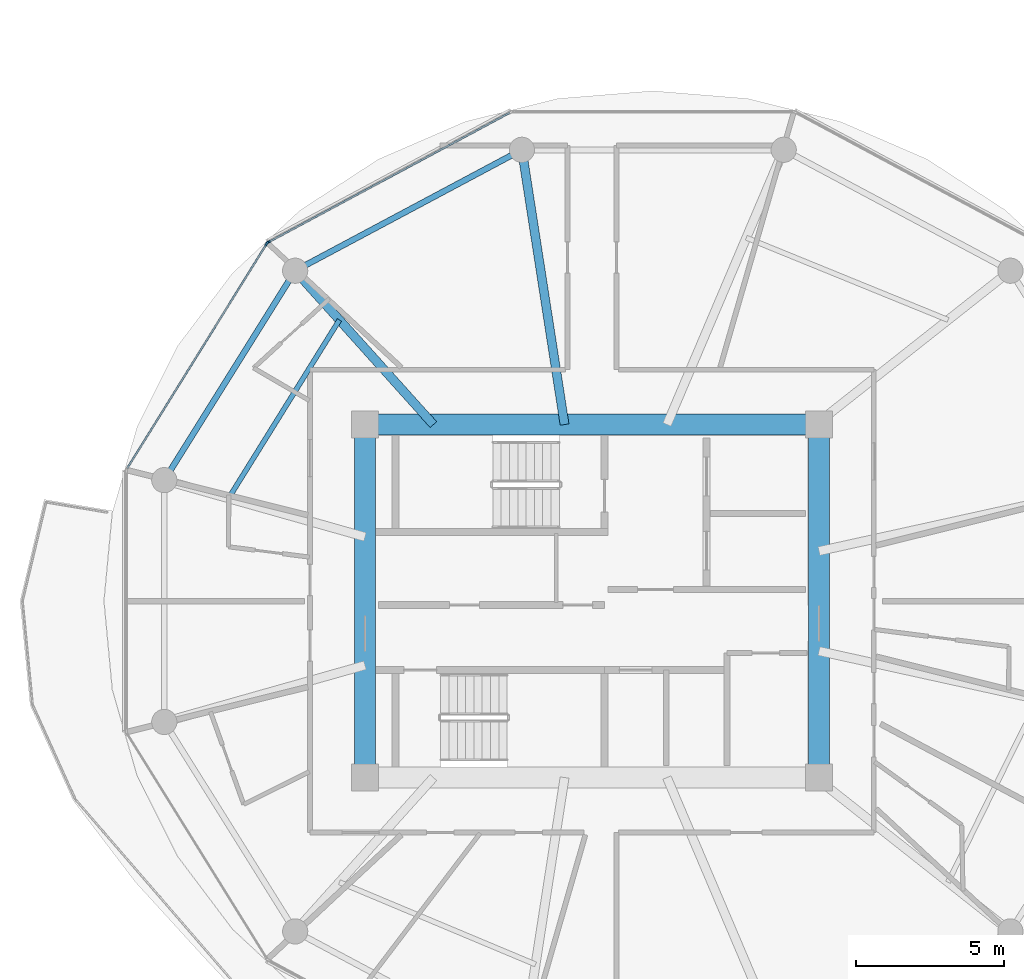
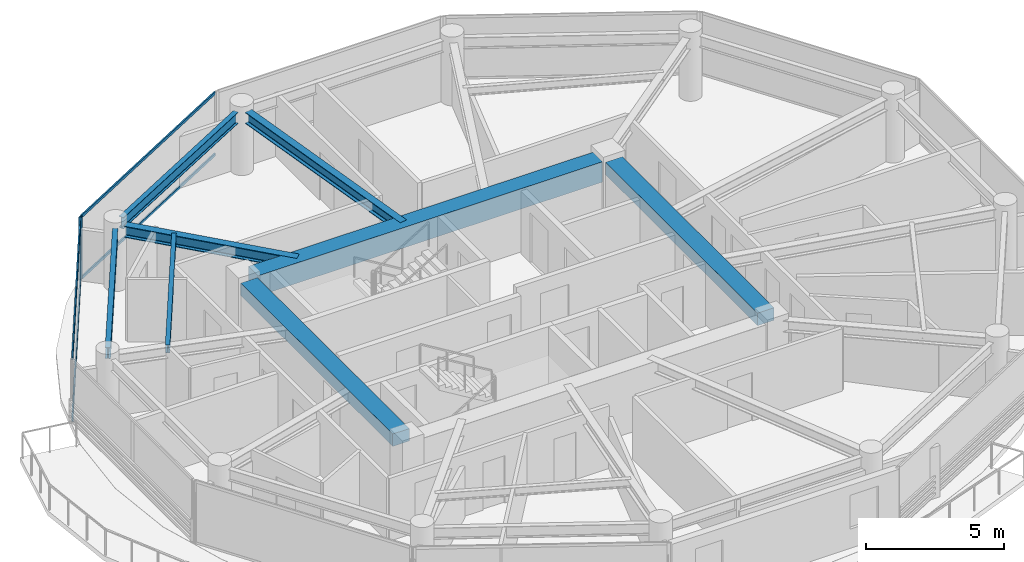
# One storey, part 4 of 24: 8 beams, 6 members, 2 elements without a shape of their own.
"""IFC4 building model written with IfcOpenShell, lengths in metres."""

from ifc_helpers import new_model, si_unit, direction, frame, origin, origin_2d, place, context, subcontext, project, spatial, rectangle, i_section, extrude, source, transform, mapped, material, layer, layer_set, material_profile, profile_set, type_object, type_shapes, element, aggregate, save


model = new_model("IFC4")

# Units and contexts
model_context = context("Model", 3, precision=1e-05, world=origin(), true_north=direction((0.0, 1.0)))
body_context = subcontext(model_context, "Body", "Model", "MODEL_VIEW")
ifc_project = project(units=[si_unit("LENGTHUNIT", "METRE"), si_unit("AREAUNIT", "SQUARE_METRE"), si_unit("VOLUMEUNIT", "CUBIC_METRE"), si_unit("PLANEANGLEUNIT", "RADIAN"), si_unit("MASSUNIT", "GRAM", prefix="KILO")], contexts=[model_context])

# Site, building, storey
site_placement = place(None, origin())
site = spatial("IfcSite", under=ifc_project, at=site_placement, CompositionType="ELEMENT")
building_placement = place(site_placement, origin())
building = spatial("IfcBuilding", under=site, at=building_placement, Name="Norrkilde Senior Care Towers", CompositionType="ELEMENT")
storey_placement = place(building_placement, frame((0.0, 0.0, 102.35009765625)))
storey = spatial("IfcBuildingStorey", under=building, at=storey_placement, Name="L31", CompositionType="ELEMENT", Elevation=102.35009765625)

# Beams
ifc_material_1 = material(Name="Concrete C60/75", Category="concrete")
ifc_material_profile_1 = material_profile(ifc_material_1, rectangle(XDim=0.699951171875, YDim=0.89990234375, at=origin_2d()), Name="RC BM 700x900")
ifc_profile_set_1 = profile_set([ifc_material_profile_1], Name="Concrete C60/75")
beam_type_1 = type_object("IfcBeamType", Name="Core Coupling Girder 700x900", PredefinedType="USERDEFINED", material=ifc_profile_set_1)
shared_shape_1 = source(origin(), body_context, "Body", "SweptSolid", [
    extrude(rectangle(XDim=0.699951171875, YDim=0.89990234375, at=origin_2d()), origin(), (0.0, 0.0, 1.0), 14.43994140625),
])
type_shapes(beam_type_1, [shared_shape_1])
beam_1_placement = place(storey_placement, frame((-35.219970703125, 5.949951171875, 2.33984375), z_axis=(1.0, 0.0, 0.0), x_axis=(0.0, 1.0, 0.0)))
element("IfcBeam", 1, at=beam_1_placement, inside=storey, type_object=beam_type_1, Name="L31 Core W N Coupling Girder", ObjectType="GIRDER", PredefinedType="USERDEFINED", context=body_context, shape_type="MappedRepresentation", body=[
    mapped(shared_shape_1, transform((0.0, 0.0, 0.0), x_axis=(1.0, 0.0, 0.0), y_axis=(0.0, 1.0, 0.0), z_axis=(0.0, 0.0, 1.0), scale=1.0)),
])
ifc_material_profile_2 = material_profile(ifc_material_1, rectangle(XDim=0.699951171875, YDim=0.550048828125, at=origin_2d()), Name="RC BM 700x550")
ifc_profile_set_2 = profile_set([ifc_material_profile_2], Name="Concrete C60/75")
beam_type_2 = type_object("IfcBeamType", Name="Core Portal Coupling Beam 700x550", PredefinedType="USERDEFINED", material=ifc_profile_set_2)
shared_shape_2 = source(origin(), body_context, "Body", "SweptSolid", [
    extrude(rectangle(XDim=0.699951171875, YDim=0.550048828125, at=origin_2d()), origin(), (0.0, 0.0, 1.0), 11.0400390625),
])
type_shapes(beam_type_2, [shared_shape_2])
for number, where, z_axis, x_axis, name in (
    (2, (-35.64990234375, -5.52001953125, 2.514892578125), (0.0, 1.0, 0.0), (-1.0, 0.0, 0.0), "L31 Core W W Coupling Girder"),
    (3, (-20.35009765625, -5.52001953125, 2.514892578125), (0.0, 1.0, 0.0), (-1.0, 0.0, 0.0), "L31 Core W E Coupling Girder"),
):
    element("IfcBeam", number, at=place(storey_placement, frame(where, z_axis=z_axis, x_axis=x_axis)), inside=storey, type_object=beam_type_2, Name=name, ObjectType="GIRDER", PredefinedType="USERDEFINED", context=body_context, shape_type="MappedRepresentation", body=[
        mapped(shared_shape_2, transform((0.0, 0.0, 0.0), x_axis=(1.0, 0.0, 0.0), y_axis=(0.0, 1.0, 0.0), z_axis=(0.0, 0.0, 1.0), scale=1.0)),
    ])
ifc_material_2 = material(Name="Steel S355", Category="steel")
ifc_material_profile_3 = material_profile(ifc_material_2, i_section(OverallWidth=0.199951171875, OverallDepth=0.5, WebThickness=0.01025390625, FlangeThickness=0.01611328125, FilletRadius=0.02099609375, at=origin_2d()), Name="IPE 500")
ifc_profile_set_3 = profile_set([ifc_material_profile_3], Name="Steel S355")
beam_type_3 = type_object("IfcBeamType", Name="Perimeter Ring Spandrel Z2 IPE500", PredefinedType="SPANDREL", material=ifc_profile_set_3)
shared_shape_3 = source(origin(), body_context, "Body", "SweptSolid", [
    extrude(i_section(OverallWidth=0.199951171875, OverallDepth=0.5, WebThickness=0.01025390625, FlangeThickness=0.01611328125, FilletRadius=0.02099609375, at=origin_2d()), origin(), (0.0, 0.0, 1.0), 7.892333984375),
])
beam_2_placement = place(storey_placement, frame((-30.70263671875, 15.0322265625, 2.539794921875), z_axis=(-0.882350372282, -0.47059305194, 0.0), x_axis=(0.47059305194, -0.882350372282, 0.0)))
element("IfcBeam", 4, at=beam_2_placement, inside=storey, type_object=beam_type_3, Name="L31 Drum W Perimeter Spandrel 04", PredefinedType="SPANDREL", context=body_context, shape_type="MappedRepresentation", body=[
    mapped(shared_shape_3, transform((0.0, 0.0, 0.0), x_axis=(1.0, 0.0, 0.0), y_axis=(0.0, 1.0, 0.0), z_axis=(0.0, 0.0, 1.0), scale=1.0)),
])
ifc_material_profile_4 = material_profile(ifc_material_2, i_section(OverallWidth=0.300048828125, OverallDepth=0.5, WebThickness=0.014404296875, FlangeThickness=0.028076171875, FilletRadius=0.027099609375, at=origin_2d()), Name="HEB 500")
ifc_profile_set_4 = profile_set([ifc_material_profile_4], Name="Steel S355")
beam_type_4 = type_object("IfcBeamType", Name="Radial Floor Beam Z2 HEB500", PredefinedType="BEAM", material=ifc_profile_set_4)
shared_shape_4 = source(origin(), body_context, "Body", "SweptSolid", [
    extrude(i_section(OverallWidth=0.300048828125, OverallDepth=0.5, WebThickness=0.014404296875, FlangeThickness=0.028076171875, FilletRadius=0.027099609375, at=origin_2d()), origin(), (0.0, 0.0, 1.0), 8.989501953125),
])
beam_3_placement = place(storey_placement, frame((-28.924072265625, 5.949951171875, 2.539794921875), z_axis=(-0.153471298636, 0.988153105796, 0.0), x_axis=(-0.988153105796, -0.153471298636, 0.0)))
element("IfcBeam", 5, at=beam_3_placement, inside=storey, type_object=beam_type_4, Name="L31 Drum W Radial Floor Beam 04", PredefinedType="BEAM", context=body_context, shape_type="MappedRepresentation", body=[
    mapped(shared_shape_4, transform((0.0, 0.0, 0.0), x_axis=(1.0, 0.0, 0.0), y_axis=(0.0, 1.0, 0.0), z_axis=(0.0, 0.0, 1.0), scale=1.0)),
])
shared_shape_5 = source(origin(), body_context, "Body", "SweptSolid", [
    extrude(i_section(OverallWidth=0.199951171875, OverallDepth=0.5, WebThickness=0.01025390625, FlangeThickness=0.01611328125, FilletRadius=0.02099609375, at=origin_2d()), origin(), (0.0, 0.0, 1.0), 7.556396484375),
])
type_shapes(beam_type_3, [shared_shape_3, shared_shape_5])
beam_4_placement = place(storey_placement, frame((-38.210205078125, 10.810546875, 2.539794921875), z_axis=(-0.530004748437, -0.847994673706, 0.0), x_axis=(0.847994673706, -0.530004748437, 0.0)))
element("IfcBeam", 6, at=beam_4_placement, inside=storey, type_object=beam_type_3, Name="L31 Drum W Perimeter Spandrel 05", PredefinedType="SPANDREL", context=body_context, shape_type="MappedRepresentation", body=[
    mapped(shared_shape_5, transform((0.0, 0.0, 0.0), x_axis=(1.0, 0.0, 0.0), y_axis=(0.0, 1.0, 0.0), z_axis=(0.0, 0.0, 1.0), scale=1.0)),
])
shared_shape_6 = source(origin(), body_context, "Body", "SweptSolid", [
    extrude(i_section(OverallWidth=0.300048828125, OverallDepth=0.5, WebThickness=0.014404296875, FlangeThickness=0.028076171875, FilletRadius=0.027099609375, at=origin_2d()), origin(), (0.0, 0.0, 1.0), 6.587890625),
])
type_shapes(beam_type_4, [shared_shape_4, shared_shape_6])
beam_5_placement = place(storey_placement, frame((-33.345947265625, 5.949951171875, 2.539794921875), z_axis=(-0.668315438605, 0.743877997068, 0.0), x_axis=(-0.743877997068, -0.668315438605, 0.0)))
element("IfcBeam", 7, at=beam_5_placement, inside=storey, type_object=beam_type_4, Name="L31 Drum W Radial Floor Beam 05", PredefinedType="BEAM", context=body_context, shape_type="MappedRepresentation", body=[
    mapped(shared_shape_6, transform((0.0, 0.0, 0.0), x_axis=(1.0, 0.0, 0.0), y_axis=(0.0, 1.0, 0.0), z_axis=(0.0, 0.0, 1.0), scale=1.0)),
])
ifc_material_profile_5 = material_profile(ifc_material_2, i_section(OverallWidth=0.169921875, OverallDepth=0.360107421875, WebThickness=0.008056640625, FlangeThickness=0.0126953125, FilletRadius=0.01806640625, at=origin_2d()), Name="IPE 360")
ifc_profile_set_5 = profile_set([ifc_material_profile_5], Name="Steel S355")
beam_type_5 = type_object("IfcBeamType", Name="Secondary Floor Joist IPE360", PredefinedType="JOIST", material=ifc_profile_set_5)
shared_shape_7 = source(origin(), body_context, "Body", "SweptSolid", [
    extrude(i_section(OverallWidth=0.169921875, OverallDepth=0.360107421875, WebThickness=0.008056640625, FlangeThickness=0.0126953125, FilletRadius=0.01806640625, at=origin_2d()), origin(), (0.0, 0.0, 1.0), 7.080078125),
])
type_shapes(beam_type_5, [shared_shape_7])
beam_6_placement = place(storey_placement, frame((-36.514892578125, 9.47705078125, 2.60986328125), z_axis=(-0.527961009189, -0.849268610497, 0.0), x_axis=(0.849268610497, -0.527961009189, 0.0)))
element("IfcBeam", 8, at=beam_6_placement, inside=storey, type_object=beam_type_5, Name="L31 Drum W Secondary Floor Joist 2", PredefinedType="JOIST", context=body_context, shape_type="MappedRepresentation", body=[
    mapped(shared_shape_7, transform((0.0, 0.0, 0.0), x_axis=(1.0, 0.0, 0.0), y_axis=(0.0, 1.0, 0.0), z_axis=(0.0, 0.0, 1.0), scale=1.0)),
])

# Curtain wall, member
ifc_material_3 = material(Name="Triple Low-E Insulated Glazing", Category="glass")
ifc_layer = layer(ifc_material_3, 0.195068359375)
ifc_layer_set = layer_set([ifc_layer], Name="Triple Low-E Insulated Glazing")
curtain_wall_type = type_object("IfcCurtainWallType", Name="CW3 Zone 2 Assisted Living Curtain Wall", PredefinedType="NOTDEFINED", material=ifc_layer_set)
curtain_wall_1_placement = place(storey_placement, origin())
curtain_wall_1 = element("IfcCurtainWall", 9, at=curtain_wall_1_placement, inside=storey, type_object=curtain_wall_type, Name="L31 Drum W Curtain Wall 03", PredefinedType="NOTDEFINED")
ifc_material_4 = material(Name="Anodised Aluminium", Category="aluminium")
ifc_material_profile_6 = material_profile(ifc_material_4, rectangle(XDim=0.06494140625, YDim=0.159912109375, at=origin_2d()), Name="ALU MULL 65x160")
ifc_profile_set_6 = profile_set([ifc_material_profile_6], Name="Anodised Aluminium")
member_type_1 = type_object("IfcMemberType", Name="Curtain Wall Mullion Z1-Z2 65x160", PredefinedType="MULLION", material=ifc_profile_set_6)
shared_shape_8 = source(origin(), body_context, "Body", "SweptSolid", [
    extrude(rectangle(XDim=0.06494140625, YDim=0.159912109375, at=origin_2d()), origin(), (0.0, 0.0, 1.0), 2.789794921875),
])
type_shapes(member_type_1, [shared_shape_8])
member_1_placement = place(storey_placement, frame((-38.91796875, 12.0927734375, 0.0), z_axis=(0.0, 0.0, 1.0), x_axis=(-0.472769402511, 0.881186184668, 0.0)))
member_1 = element("IfcMember", 10, at=member_1_placement, type_object=member_type_1, Name="CW-3 mullion 1", PredefinedType="MULLION", context=body_context, shape_type="MappedRepresentation", body=[
    mapped(shared_shape_8, transform((0.0, 0.0, 0.0), x_axis=(1.0, 0.0, 0.0), y_axis=(0.0, 1.0, 0.0), z_axis=(0.0, 0.0, 1.0), scale=1.0)),
])

# Curtain wall, members
curtain_wall_2_placement = place(storey_placement, origin())
curtain_wall_2 = element("IfcCurtainWall", 11, at=curtain_wall_2_placement, inside=storey, type_object=curtain_wall_type, Name="L31 Drum W Curtain Wall 04", PredefinedType="NOTDEFINED")
member_2_placement = place(storey_placement, frame((-38.9638671875, 12.0498046875, 0.0), z_axis=(0.0, 0.0, 1.0), x_axis=(-0.849410171862, 0.527733228002, 0.0)))
member_2 = element("IfcMember", 12, at=member_2_placement, type_object=member_type_1, Name="CW-3 mullion 2", PredefinedType="MULLION", context=body_context, shape_type="MappedRepresentation", body=[
    mapped(shared_shape_8, transform((0.0, 0.0, 0.0), x_axis=(1.0, 0.0, 0.0), y_axis=(0.0, 1.0, 0.0), z_axis=(0.0, 0.0, 1.0), scale=1.0)),
])
ifc_material_profile_7 = material_profile(ifc_material_4, rectangle(XDim=0.06005859375, YDim=0.1201171875, at=origin_2d()), Name="ALU TRAN 60x120")
ifc_profile_set_7 = profile_set([ifc_material_profile_7], Name="Anodised Aluminium")
member_type_2 = type_object("IfcMemberType", Name="Curtain Wall Transom Typical 60x120", PredefinedType="USERDEFINED", material=ifc_profile_set_7)
shared_shape_9 = source(origin(), body_context, "Body", "SweptSolid", [
    extrude(rectangle(XDim=0.06005859375, YDim=0.1201171875, at=origin_2d()), origin(), (0.0, 0.0, 1.0), 8.88427734375),
])
member_3_placement = place(storey_placement, frame((-43.66943359375, 4.475830078125, 0.02978515625), z_axis=(0.527729466743, 0.849412508697, 0.0), x_axis=(-0.849412508697, 0.527729466743, 0.0)))
member_3 = element("IfcMember", 13, at=member_3_placement, type_object=member_type_2, Name="CW-3 transom 1.1", ObjectType="TRANSOM", PredefinedType="USERDEFINED", context=body_context, shape_type="MappedRepresentation", body=[
    mapped(shared_shape_9, transform((0.0, 0.0, 0.0), x_axis=(1.0, 0.0, 0.0), y_axis=(0.0, 1.0, 0.0), z_axis=(0.0, 0.0, 1.0), scale=1.0)),
])
member_4_placement = place(storey_placement, frame((-43.66943359375, 4.475830078125, 2.760009765625), z_axis=(0.527729466743, 0.849412508697, 0.0), x_axis=(-0.849412508697, 0.527729466743, 0.0)))
member_4 = element("IfcMember", 14, at=member_4_placement, type_object=member_type_2, Name="CW-3 transom 1.2", ObjectType="TRANSOM", PredefinedType="USERDEFINED", context=body_context, shape_type="MappedRepresentation", body=[
    mapped(shared_shape_9, transform((0.0, 0.0, 0.0), x_axis=(1.0, 0.0, 0.0), y_axis=(0.0, 1.0, 0.0), z_axis=(0.0, 0.0, 1.0), scale=1.0)),
])
aggregate(curtain_wall_2, [member_2, member_3, member_4])

# Member
shared_shape_10 = source(origin(), body_context, "Body", "SweptSolid", [
    extrude(rectangle(XDim=0.06005859375, YDim=0.1201171875, at=origin_2d()), origin(), (0.0, 0.0, 1.0), 9.220458984375),
])
type_shapes(member_type_2, [shared_shape_9, shared_shape_10])
member_5_placement = place(storey_placement, frame((-38.889404296875, 12.108154296875, 0.02978515625), z_axis=(0.881188517866, 0.472765053681, 0.0), x_axis=(-0.472765053681, 0.881188517866, 0.0)))
member_5 = element("IfcMember", 15, at=member_5_placement, type_object=member_type_2, Name="CW-3 transom 1.1", ObjectType="TRANSOM", PredefinedType="USERDEFINED", context=body_context, shape_type="MappedRepresentation", body=[
    mapped(shared_shape_10, transform((0.0, 0.0, 0.0), x_axis=(1.0, 0.0, 0.0), y_axis=(0.0, 1.0, 0.0), z_axis=(0.0, 0.0, 1.0), scale=1.0)),
])

member_6_placement = place(storey_placement, frame((-38.889404296875, 12.108154296875, 2.760009765625), z_axis=(0.881188517866, 0.472765053681, 0.0), x_axis=(-0.472765053681, 0.881188517866, 0.0)))
member_6 = element("IfcMember", 16, at=member_6_placement, type_object=member_type_2, Name="CW-3 transom 1.2", ObjectType="TRANSOM", PredefinedType="USERDEFINED", context=body_context, shape_type="MappedRepresentation", body=[
    mapped(shared_shape_10, transform((0.0, 0.0, 0.0), x_axis=(1.0, 0.0, 0.0), y_axis=(0.0, 1.0, 0.0), z_axis=(0.0, 0.0, 1.0), scale=1.0)),
])

aggregate(curtain_wall_1, [member_1, member_5, member_6])

save(model, "model.ifc")
